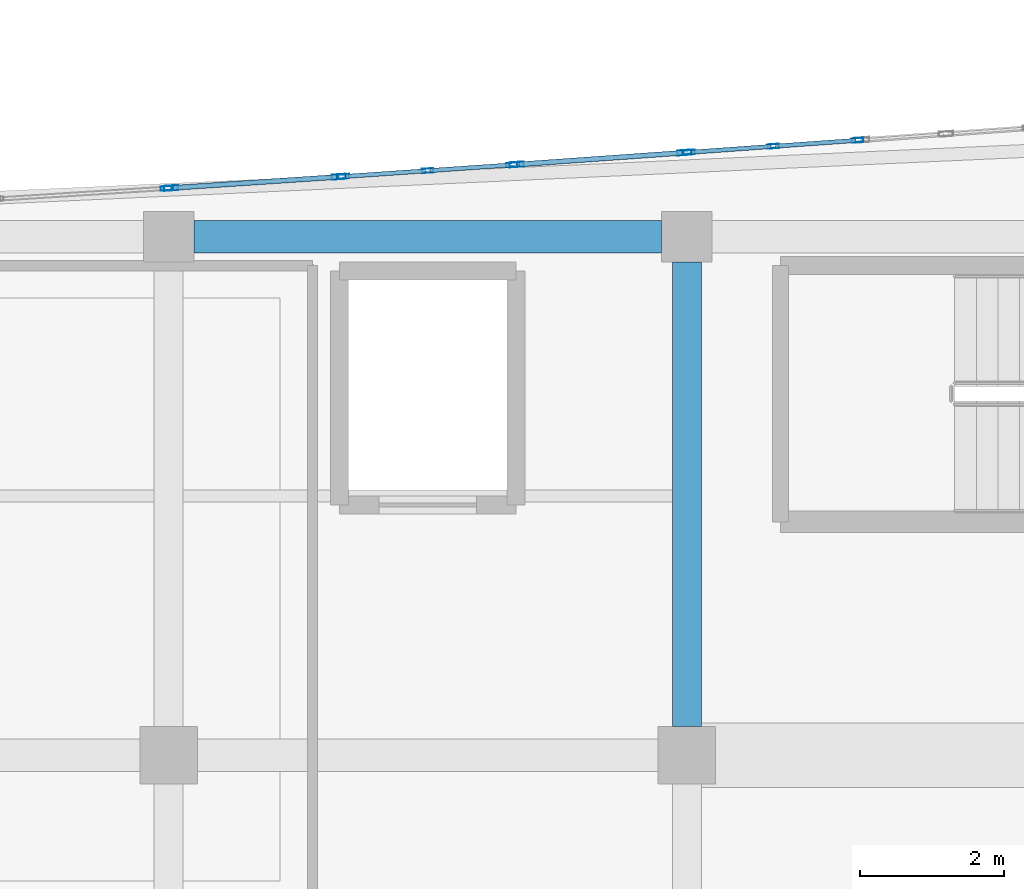
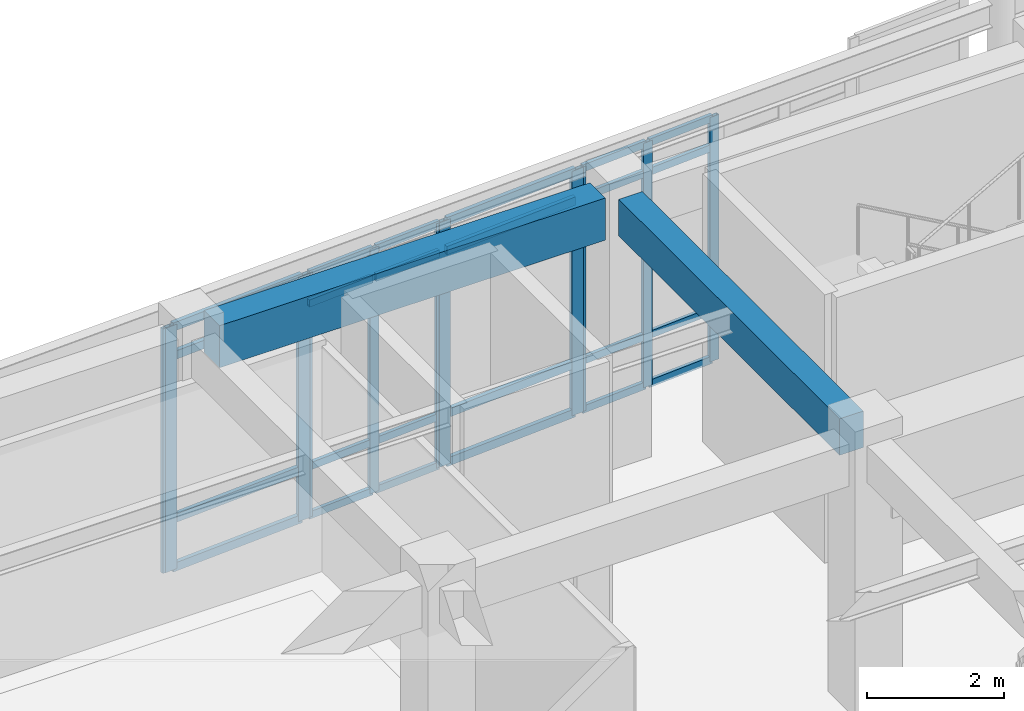
# One storey, part 30 of 117: 35 members, 2 beams, 5 elements without a shape of their own.
"""IFC4 building model written with IfcOpenShell, lengths in metres."""

import ifcopenshell
import ifcopenshell.guid

model = None  # the IFC model being written
_history = None  # IfcOwnerHistory: only IFC2X3 demands one
_inside = {}  # id of a spatial element -> (the spatial element, [elements in it])
_under = {}  # id of a project, library or spatial element -> (it, [spatial elements below it])
_declared = {}  # id of a project -> (the project, [libraries it declares])
_typed = {}  # id of a type object -> (the type object, [elements of that type])
_made_of = {}  # id of a material, layer set ... -> (it, [elements and type objects made of it])


def new_model(schema):
    """Start an empty IFC model of exactly this schema.

    Asked for "IFC4X3", IfcOpenShell would pick the latest addendum, in which some entities
    have other attributes; the version numbers below select the first issue.
    IFC2X3 requires an IfcOwnerHistory on every rooted entity: one is made here for all.
    """
    global model, _history
    if schema == "IFC4X3":
        model = ifcopenshell.file(schema_version=(4, 3, 0, 0))
    else:
        model = ifcopenshell.file(schema=schema)
    _inside.clear()
    _under.clear()
    _declared.clear()
    _typed.clear()
    _made_of.clear()
    _history = None
    if model.schema == "IFC2X3":
        org = make("IfcOrganization", Name="unknown")
        user = make(
            "IfcPersonAndOrganization",
            ThePerson=make("IfcPerson", FamilyName="unknown"),
            TheOrganization=org,
        )
        app = make(
            "IfcApplication",
            ApplicationDeveloper=org,
            Version="unknown",
            ApplicationFullName="unknown",
            ApplicationIdentifier="unknown",
        )
        _history = make(
            "IfcOwnerHistory",
            OwningUser=user,
            OwningApplication=app,
            ChangeAction="ADDED",
            CreationDate=0,
        )
    return model


def make(cls, **values):
    """One entity of the class cls with the attributes given. An attribute that is None is left unset."""
    return model.create_entity(
        cls, **{name: value for name, value in values.items() if value is not None}
    )


def rooted(cls, **values):
    """An entity with a GlobalId (a new one), such as an element, a storey or a relation."""
    return make(cls, GlobalId=ifcopenshell.guid.new(), OwnerHistory=_history, **values)


def si_unit(unit_type, name, prefix=None):
    """IfcSIUnit, for example si_unit("LENGTHUNIT", "METRE", prefix="MILLI")."""
    return make("IfcSIUnit", UnitType=unit_type, Prefix=prefix, Name=name)


def assignment(units):
    """IfcUnitAssignment: the units of a project."""
    return None if units is None else make("IfcUnitAssignment", Units=units)


def point(xyz):
    """IfcCartesianPoint."""
    return None if xyz is None else make("IfcCartesianPoint", Coordinates=xyz)


def direction(xyz):
    """IfcDirection."""
    return None if xyz is None else make("IfcDirection", DirectionRatios=xyz)


def frame(location, z_axis=None, x_axis=None):
    """IfcAxis2Placement3D, a coordinate frame: its origin and axes. An axis left out is left unset."""
    return make(
        "IfcAxis2Placement3D",
        Location=point(location),
        Axis=direction(z_axis),
        RefDirection=direction(x_axis),
    )


def frame_2d(location, x_axis=None):
    """IfcAxis2Placement2D, a coordinate frame in the plane: its origin and x axis."""
    return make(
        "IfcAxis2Placement2D", Location=point(location), RefDirection=direction(x_axis)
    )


def origin():
    """The frame at (0, 0, 0) with its axes left unset."""
    return frame((0.0, 0.0, 0.0))


def origin_2d():
    """The frame at (0, 0) in the plane with its x axis left unset."""
    return frame_2d((0.0, 0.0))


def place(relative_to, where):
    """IfcLocalPlacement: puts the frame where relative to a parent placement (None: the world)."""
    return make(
        "IfcLocalPlacement", PlacementRelTo=relative_to, RelativePlacement=where
    )


def context(
    kind, dimensions, precision=None, world=None, true_north=None, identifier=None
):
    """IfcGeometricRepresentationContext, for example the 3D "Model" context."""
    return make(
        "IfcGeometricRepresentationContext",
        ContextIdentifier=identifier,
        ContextType=kind,
        CoordinateSpaceDimension=dimensions,
        Precision=precision,
        WorldCoordinateSystem=world,
        TrueNorth=true_north,
    )


def subcontext(parent, identifier, kind, view, scale=None):
    """IfcGeometricRepresentationSubContext, for example "Body" below "Model"."""
    return make(
        "IfcGeometricRepresentationSubContext",
        ContextIdentifier=identifier,
        ContextType=kind,
        ParentContext=parent,
        TargetScale=scale,
        TargetView=view,
    )


def project(units=None, contexts=None):
    """IfcProject with its units and contexts."""
    return rooted(
        "IfcProject",
        Name="project",
        RepresentationContexts=contexts,
        UnitsInContext=assignment(units),
    )


def spatial(cls, under=None, at=None, **own):
    """A site, building, storey or space (cls), placed at a placement, below another one or the project."""
    s = rooted(cls, ObjectPlacement=at, **own)
    if under is not None:
        _under.setdefault(under.id(), (under, []))[1].append(s)
    return s


def profile(cls, at=None, kind="AREA", **sizes):
    """A parametric profile (cls). Its sizes go by their IFC names, for example OverallWidth=200.0."""
    return make(cls, ProfileType=kind, Position=at, **sizes)


def rectangle(**sizes):
    """IfcRectangleProfileDef."""
    return profile("IfcRectangleProfileDef", **sizes)


def hollow_rectangle(**sizes):
    """IfcRectangleHollowProfileDef."""
    return profile("IfcRectangleHollowProfileDef", **sizes)


def extrude(swept, where, along, depth):
    """IfcExtrudedAreaSolid: the profile swept, set in the frame where, extruded along a direction by depth."""
    return make(
        "IfcExtrudedAreaSolid",
        SweptArea=swept,
        Position=where,
        ExtrudedDirection=direction(along),
        Depth=depth,
    )


def shape(context_of_items, identifier, shape_type, items):
    """IfcShapeRepresentation: the items that make up one representation, for example the "Body"."""
    return make(
        "IfcShapeRepresentation",
        ContextOfItems=context_of_items,
        RepresentationIdentifier=identifier,
        RepresentationType=shape_type,
        Items=items,
    )


def material(Name=None, Category=None):
    """IfcMaterial."""
    return make("IfcMaterial", Name=Name, Category=Category)


def layer(
    of_material, thickness, ventilated=None, Name=None, Category=None, Priority=None
):
    """IfcMaterialLayer: one layer of a wall or slab, of a material (None: an air gap)."""
    return make(
        "IfcMaterialLayer",
        Material=of_material,
        LayerThickness=thickness,
        IsVentilated=ventilated,
        Name=Name,
        Category=Category,
        Priority=Priority,
    )


def layer_set(layers, Name=None):
    """IfcMaterialLayerSet."""
    return make("IfcMaterialLayerSet", MaterialLayers=layers, LayerSetName=Name)


def material_profile(
    of_material, cross_section, Name=None, Category=None, Priority=None
):
    """IfcMaterialProfile: a cross section and its material."""
    return make(
        "IfcMaterialProfile",
        Name=Name,
        Material=of_material,
        Profile=cross_section,
        Priority=Priority,
        Category=Category,
    )


def profile_set(profiles, Name=None, composite=None):
    """IfcMaterialProfileSet."""
    return make(
        "IfcMaterialProfileSet",
        Name=Name,
        MaterialProfiles=profiles,
        CompositeProfile=composite,
    )


def made_of(thing, what):
    """Note that an element or type object is made of a material, layer set ...; save() writes the relation."""
    if what is not None:
        _made_of.setdefault(what.id(), (what, []))[1].append(thing)
    return thing


def type_object(cls, material=None, **own):
    """A type object (cls), such as IfcWallType, which elements share."""
    return made_of(rooted(cls, **own), material)


def element(
    cls,
    number,
    at=None,
    inside=None,
    cuts=None,
    type_object=None,
    material=None,
    context=None,
    identifier="Body",
    shape_type=None,
    held_by="IfcProductDefinitionShape",
    body=None,
    shapes=None,
    **own,
):
    """One element of the class cls, such as IfcWall. Its Tag is "e" and its number.

    at: its placement. inside: the storey or other place that contains it. cuts: it is an
    opening in that element (IfcRelVoidsElement). A single representation is given by context,
    identifier, shape_type and body (its items); several are given by shapes. held_by: the class
    of the entity that holds the representations. save() writes the other relations.
    """
    e = rooted(cls, Tag="e%d" % number, ObjectPlacement=at, **own)
    if body is not None:
        shapes = [shape(context, identifier, shape_type, body)]
    if shapes is not None:
        e.Representation = make(held_by, Representations=shapes)
    if inside is not None:
        _inside.setdefault(inside.id(), (inside, []))[1].append(e)
    if cuts is not None:
        rooted(
            "IfcRelVoidsElement", RelatingBuildingElement=cuts, RelatedOpeningElement=e
        )
    if type_object is not None:
        _typed.setdefault(type_object.id(), (type_object, []))[1].append(e)
    return made_of(e, material)


def aggregate(whole, parts):
    """IfcRelAggregates: a whole, such as a stair, and the parts it consists of."""
    return rooted("IfcRelAggregates", RelatingObject=whole, RelatedObjects=parts)


def save(model, path):
    """Write the relations noted so far, then the file.

    IfcRelAggregates (storeys below a building ...), IfcRelContainedInSpatialStructure (elements
    in a storey), IfcRelDefinesByType, IfcRelAssociatesMaterial and IfcRelDeclares: one each for
    every whole, place, type object, material and project.
    """
    for whole, parts in _under.values():
        aggregate(whole, parts)
    for where, things in _inside.values():
        rooted(
            "IfcRelContainedInSpatialStructure",
            RelatedElements=things,
            RelatingStructure=where,
        )
    for kind, things in _typed.values():
        rooted("IfcRelDefinesByType", RelatedObjects=things, RelatingType=kind)
    for what, things in _made_of.values():
        rooted("IfcRelAssociatesMaterial", RelatedObjects=things, RelatingMaterial=what)
    for by, libraries in _declared.values():
        rooted("IfcRelDeclares", RelatingContext=by, RelatedDefinitions=libraries)
    model.write(path)


model = new_model("IFC4")

# Units and contexts
model_context = context("Model", 3, precision=1e-05, world=origin(), true_north=direction((0.0, 1.0)))
body_context = subcontext(model_context, "Body", "Model", "MODEL_VIEW")
ifc_project = project(units=[si_unit("LENGTHUNIT", "METRE"), si_unit("AREAUNIT", "SQUARE_METRE"), si_unit("VOLUMEUNIT", "CUBIC_METRE"), si_unit("PLANEANGLEUNIT", "RADIAN"), si_unit("MASSUNIT", "GRAM", prefix="KILO")], contexts=[model_context])

# Site, building, storey
site_placement = place(None, origin())
site = spatial("IfcSite", under=ifc_project, at=site_placement, CompositionType="ELEMENT")
building_placement = place(site_placement, origin())
building = spatial("IfcBuilding", under=site, at=building_placement, Name="Carrowvane Square Congress Hotel", CompositionType="ELEMENT")
storey_placement = place(building_placement, frame((0.0, 0.0, 5.39990234375)))
storey = spatial("IfcBuildingStorey", under=building, at=storey_placement, Name="L01", CompositionType="ELEMENT", Elevation=5.39990234375)

# Beams
ifc_material_1 = material(Name="Concrete C35/45", Category="concrete")
ifc_material_profile_1 = material_profile(ifc_material_1, rectangle(XDim=0.39990234375, YDim=0.64990234375, at=origin_2d()), Name="RC 400x650")
ifc_profile_set_1 = profile_set([ifc_material_profile_1], Name="Concrete C35/45")
beam_type_1 = type_object("IfcBeamType", Name="BM-RC-400x650", PredefinedType="BEAM", material=ifc_profile_set_1)
beam_1_placement = place(storey_placement, frame((54.800048828125, 106.60009765625, 4.455078125), z_axis=(0.0, 1.0, 0.0), x_axis=(-1.0, 0.0, 0.0)))
element("IfcBeam", 1, at=beam_1_placement, inside=storey, type_object=beam_type_1, Name="L02 girder 7/Q-R", PredefinedType="BEAM", context=body_context, shape_type="SweptSolid", body=[
    extrude(rectangle(XDim=0.39990234375, YDim=0.64990234375, at=origin_2d()), origin(), (0.0, 0.0, 1.0), 6.449951171875),
])
ifc_material_2 = material(Name="Concrete C35/45", Category="concrete")
ifc_material_profile_2 = material_profile(ifc_material_2, rectangle(XDim=0.449951171875, YDim=0.75, at=origin_2d()), Name="RC 450x750")
ifc_profile_set_2 = profile_set([ifc_material_profile_2], Name="Concrete C35/45")
beam_type_2 = type_object("IfcBeamType", Name="BM-RC-450x750", PredefinedType="USERDEFINED", material=ifc_profile_set_2)
beam_2_placement = place(storey_placement, frame((47.949951171875, 113.39990234375, 4.405029296875), z_axis=(1.0, 0.0, 0.0), x_axis=(0.0, 1.0, 0.0)))
element("IfcBeam", 2, at=beam_2_placement, inside=storey, type_object=beam_type_2, Name="L02 girder R/6-7", ObjectType="GIRDER", PredefinedType="USERDEFINED", context=body_context, shape_type="SweptSolid", body=[
    extrude(rectangle(XDim=0.449951171875, YDim=0.75, at=origin_2d()), origin(), (0.0, 0.0, 1.0), 6.5),
])

# Curtain wall, member
ifc_material_3 = material(Name="Anodised aluminium", Category="aluminium")
ifc_layer_1 = layer(ifc_material_3, 0.18603515625)
ifc_layer_set_1 = layer_set([ifc_layer_1], Name="Anodised aluminium")
curtain_wall_type_1 = type_object("IfcCurtainWallType", Name="CW-SYS-3", PredefinedType="NOTDEFINED", material=ifc_layer_set_1)
curtain_wall_1_placement = place(storey_placement, origin())
curtain_wall_1 = element("IfcCurtainWall", 3, at=curtain_wall_1_placement, inside=storey, type_object=curtain_wall_type_1, Name="L01 unitised curtain wall 66", PredefinedType="NOTDEFINED")
ifc_material_4 = material(Name="Anodised aluminium", Category="aluminium")
ifc_material_profile_3 = material_profile(ifc_material_4, hollow_rectangle(XDim=0.06005859375, YDim=0.159912109375, WallThickness=0.00390625, at=origin_2d()), Name="CW-ML 60x160x4")
ifc_profile_set_3 = profile_set([ifc_material_profile_3], Name="Anodised aluminium")
member_type_1 = type_object("IfcMemberType", Name="CW-MUL-1", PredefinedType="MULLION", material=ifc_profile_set_3)
member_1_placement = place(storey_placement, frame((47.570068359375, 114.073486328125, 0.0), z_axis=(0.0, 0.0, 1.0), x_axis=(-0.063273487972, 0.997996225303, 0.0)))
member_1 = element("IfcMember", 4, at=member_1_placement, type_object=member_type_1, Name="CW-3 mullion 2", PredefinedType="MULLION", context=body_context, shape_type="SweptSolid", body=[
    extrude(hollow_rectangle(XDim=0.06005859375, YDim=0.159912109375, WallThickness=0.00390625, at=origin_2d()), origin(), (0.0, 0.0, 1.0), 4.355712890625),
])
aggregate(curtain_wall_1, [member_1])

# Curtain wall, members
ifc_material_5 = material(Name="Anodised aluminium", Category="aluminium")
ifc_layer_2 = layer(ifc_material_5, 0.2099609375)
ifc_layer_set_2 = layer_set([ifc_layer_2], Name="Anodised aluminium")
curtain_wall_type_2 = type_object("IfcCurtainWallType", Name="CW-SYS-5", PredefinedType="NOTDEFINED", material=ifc_layer_set_2)
curtain_wall_2_placement = place(storey_placement, origin())
curtain_wall_2 = element("IfcCurtainWall", 5, at=curtain_wall_2_placement, inside=storey, type_object=curtain_wall_type_2, Name="L01 unitised curtain wall 68", PredefinedType="NOTDEFINED")
member_2_placement = place(storey_placement, frame((50.030029296875, 114.237548828125, 0.0), z_axis=(0.0, 0.0, 1.0), x_axis=(-0.068986120725, 0.997617619706, 0.0)))
member_2 = element("IfcMember", 6, at=member_2_placement, type_object=member_type_1, Name="CW-5 mullion 1", PredefinedType="MULLION", context=body_context, shape_type="SweptSolid", body=[
    extrude(hollow_rectangle(XDim=0.06005859375, YDim=0.159912109375, WallThickness=0.00390625, at=origin_2d()), origin(), (0.0, 0.0, 1.0), 4.355712890625),
])
member_3_placement = place(storey_placement, frame((51.199951171875, 114.318359375, 0.0), z_axis=(0.0, 0.0, 1.0), x_axis=(-0.068986120725, 0.997617619706, 0.0)))
member_3 = element("IfcMember", 7, at=member_3_placement, type_object=member_type_1, Name="CW-5 mullion 2", PredefinedType="MULLION", context=body_context, shape_type="SweptSolid", body=[
    extrude(hollow_rectangle(XDim=0.06005859375, YDim=0.159912109375, WallThickness=0.00390625, at=origin_2d()), origin(), (0.0, 0.0, 1.0), 4.355712890625),
])
member_4_placement = place(storey_placement, frame((52.3701171875, 114.3994140625, 0.0), z_axis=(0.0, 0.0, 1.0), x_axis=(-0.068986120725, 0.997617619706, 0.0)))
member_4 = element("IfcMember", 8, at=member_4_placement, type_object=member_type_1, Name="CW-5 mullion 3", PredefinedType="MULLION", context=body_context, shape_type="SweptSolid", body=[
    extrude(hollow_rectangle(XDim=0.06005859375, YDim=0.159912109375, WallThickness=0.00390625, at=origin_2d()), origin(), (0.0, 0.0, 1.0), 4.355712890625),
])

ifc_material_6 = material(Name="Anodised aluminium", Category="aluminium")
ifc_layer_3 = layer(ifc_material_6, 0.23388671875)
ifc_layer_set_3 = layer_set([ifc_layer_3], Name="Anodised aluminium")
curtain_wall_type_3 = type_object("IfcCurtainWallType", Name="CW-SYS-7", PredefinedType="NOTDEFINED", material=ifc_layer_set_3)
curtain_wall_3_placement = place(storey_placement, origin())
curtain_wall_3 = element("IfcCurtainWall", 9, at=curtain_wall_3_placement, inside=storey, type_object=curtain_wall_type_3, Name="L01 unitised curtain wall 70", PredefinedType="NOTDEFINED")
member_5_placement = place(storey_placement, frame((54.829833984375, 114.573486328125, 0.0), z_axis=(0.0, 0.0, 1.0), x_axis=(-0.071418356042, 0.997446448898, 0.0)))
member_5 = element("IfcMember", 10, at=member_5_placement, type_object=member_type_1, Name="CW-7 mullion 1", PredefinedType="MULLION", context=body_context, shape_type="SweptSolid", body=[
    extrude(hollow_rectangle(XDim=0.06005859375, YDim=0.159912109375, WallThickness=0.00390625, at=origin_2d()), origin(), (0.0, 0.0, 1.0), 4.355712890625),
])
member_6_placement = place(storey_placement, frame((56.0, 114.6572265625, 0.0), z_axis=(0.0, 0.0, 1.0), x_axis=(-0.071418356042, 0.997446448898, 0.0)))
member_6 = element("IfcMember", 11, at=member_6_placement, type_object=member_type_1, Name="CW-7 mullion 2", PredefinedType="MULLION", context=body_context, shape_type="SweptSolid", body=[
    extrude(hollow_rectangle(XDim=0.06005859375, YDim=0.159912109375, WallThickness=0.00390625, at=origin_2d()), origin(), (0.0, 0.0, 1.0), 4.355712890625),
])
member_7_placement = place(storey_placement, frame((57.169921875, 114.740966796875, 0.0), z_axis=(0.0, 0.0, 1.0), x_axis=(-0.071418356042, 0.997446448898, 0.0)))
member_7 = element("IfcMember", 12, at=member_7_placement, type_object=member_type_1, Name="CW-7 mullion 3", PredefinedType="MULLION", context=body_context, shape_type="SweptSolid", body=[
    extrude(hollow_rectangle(XDim=0.06005859375, YDim=0.159912109375, WallThickness=0.00390625, at=origin_2d()), origin(), (0.0, 0.0, 1.0), 4.355712890625),
])

ifc_material_7 = material(Name="Anodised aluminium", Category="aluminium")
ifc_layer_4 = layer(ifc_material_7, 0.197998046875)
ifc_layer_set_4 = layer_set([ifc_layer_4], Name="Anodised aluminium")
curtain_wall_type_4 = type_object("IfcCurtainWallType", Name="CW-SYS-4", PredefinedType="NOTDEFINED", material=ifc_layer_set_4)
curtain_wall_4_placement = place(storey_placement, origin())
curtain_wall_4 = element("IfcCurtainWall", 13, at=curtain_wall_4_placement, inside=storey, type_object=curtain_wall_type_4, Name="L01 unitised curtain wall 67", PredefinedType="NOTDEFINED")
ifc_material_8 = material(Name="Anodised aluminium", Category="aluminium")
ifc_material_profile_4 = material_profile(ifc_material_8, hollow_rectangle(XDim=0.070068359375, YDim=0.199951171875, WallThickness=0.0048828125, at=origin_2d()), Name="CW-ML 70x200x5")
ifc_profile_set_4 = profile_set([ifc_material_profile_4], Name="Anodised aluminium")
member_type_2 = type_object("IfcMemberType", Name="CW-MUL-2", PredefinedType="MULLION", material=ifc_profile_set_4)
member_8_placement = place(storey_placement, frame((47.635009765625, 114.07763671875, 0.0), z_axis=(0.0, 0.0, 1.0), x_axis=(-0.066578061501, 0.99778121937, 0.0)))
member_8 = element("IfcMember", 14, at=member_8_placement, type_object=member_type_2, Name="CW-4 mullion 1", PredefinedType="MULLION", context=body_context, shape_type="SweptSolid", body=[
    extrude(hollow_rectangle(XDim=0.070068359375, YDim=0.199951171875, WallThickness=0.0048828125, at=origin_2d()), origin(), (0.0, 0.0, 1.0), 4.355712890625),
])
member_9_placement = place(storey_placement, frame((49.965087890625, 114.233154296875, 0.0), z_axis=(0.0, 0.0, 1.0), x_axis=(-0.066578061501, 0.99778121937, 0.0)))
member_9 = element("IfcMember", 15, at=member_9_placement, type_object=member_type_2, Name="CW-4 mullion 2", PredefinedType="MULLION", context=body_context, shape_type="SweptSolid", body=[
    extrude(hollow_rectangle(XDim=0.070068359375, YDim=0.199951171875, WallThickness=0.0048828125, at=origin_2d()), origin(), (0.0, 0.0, 1.0), 4.355712890625),
])

ifc_material_9 = material(Name="Anodised aluminium", Category="aluminium")
ifc_layer_5 = layer(ifc_material_9, 0.221923828125)
ifc_layer_set_5 = layer_set([ifc_layer_5], Name="Anodised aluminium")
curtain_wall_type_5 = type_object("IfcCurtainWallType", Name="CW-SYS-6", PredefinedType="NOTDEFINED", material=ifc_layer_set_5)
curtain_wall_5_placement = place(storey_placement, origin())
curtain_wall_5 = element("IfcCurtainWall", 16, at=curtain_wall_5_placement, inside=storey, type_object=curtain_wall_type_5, Name="L01 unitised curtain wall 69", PredefinedType="NOTDEFINED")
member_10_placement = place(storey_placement, frame((52.434814453125, 114.40380859375, 0.0), z_axis=(0.0, 0.0, 1.0), x_axis=(-0.070585996942, 0.997505697746, 0.0)))
member_10 = element("IfcMember", 17, at=member_10_placement, type_object=member_type_2, Name="CW-6 mullion 1", PredefinedType="MULLION", context=body_context, shape_type="SweptSolid", body=[
    extrude(hollow_rectangle(XDim=0.070068359375, YDim=0.199951171875, WallThickness=0.0048828125, at=origin_2d()), origin(), (0.0, 0.0, 1.0), 4.355712890625),
])
member_11_placement = place(storey_placement, frame((54.76513671875, 114.56884765625, 0.0), z_axis=(0.0, 0.0, 1.0), x_axis=(-0.070585996942, 0.997505697746, 0.0)))
member_11 = element("IfcMember", 18, at=member_11_placement, type_object=member_type_2, Name="CW-6 mullion 2", PredefinedType="MULLION", context=body_context, shape_type="SweptSolid", body=[
    extrude(hollow_rectangle(XDim=0.070068359375, YDim=0.199951171875, WallThickness=0.0048828125, at=origin_2d()), origin(), (0.0, 0.0, 1.0), 4.355712890625),
])

# Member
ifc_material_10 = material(Name="Anodised aluminium", Category="aluminium")
ifc_material_profile_5 = material_profile(ifc_material_10, hollow_rectangle(XDim=0.06005859375, YDim=0.1298828125, WallThickness=0.00390625, at=origin_2d()), Name="CW-TR 60x130x4")
ifc_profile_set_5 = profile_set([ifc_material_profile_5], Name="Anodised aluminium")
member_type_3 = type_object("IfcMemberType", Name="CW-TRN-1", PredefinedType="USERDEFINED", material=ifc_profile_set_5)
member_12_placement = place(storey_placement, frame((50.059814453125, 114.239501953125, 0.030029296875), z_axis=(0.997610037403, 0.06909568201, 0.0), x_axis=(-0.06909568201, 0.997610037403, 0.0)))
member_12 = element("IfcMember", 19, at=member_12_placement, type_object=member_type_3, Name="CW-5 transom 1.1", ObjectType="TRANSOM", PredefinedType="USERDEFINED", context=body_context, shape_type="SweptSolid", body=[
    extrude(hollow_rectangle(XDim=0.06005859375, YDim=0.1298828125, WallThickness=0.00390625, at=origin_2d()), origin(), (0.0, 0.0, 1.0), 1.113037109375),
])

member_13_placement = place(storey_placement, frame((50.059814453125, 114.239501953125, 0.900146484375), z_axis=(0.997610037403, 0.06909568201, 0.0), x_axis=(-0.06909568201, 0.997610037403, 0.0)))
member_13 = element("IfcMember", 20, at=member_13_placement, type_object=member_type_3, Name="CW-5 transom 1.2", ObjectType="TRANSOM", PredefinedType="USERDEFINED", context=body_context, shape_type="SweptSolid", body=[
    extrude(hollow_rectangle(XDim=0.06005859375, YDim=0.1298828125, WallThickness=0.00390625, at=origin_2d()), origin(), (0.0, 0.0, 1.0), 1.113037109375),
])

member_14_placement = place(storey_placement, frame((50.059814453125, 114.239501953125, 3.8056640625), z_axis=(0.997610037403, 0.06909568201, 0.0), x_axis=(-0.06909568201, 0.997610037403, 0.0)))
member_14 = element("IfcMember", 21, at=member_14_placement, type_object=member_type_3, Name="CW-5 transom 1.3", ObjectType="TRANSOM", PredefinedType="USERDEFINED", context=body_context, shape_type="SweptSolid", body=[
    extrude(hollow_rectangle(XDim=0.06005859375, YDim=0.1298828125, WallThickness=0.00390625, at=origin_2d()), origin(), (0.0, 0.0, 1.0), 1.113037109375),
])

member_15_placement = place(storey_placement, frame((50.059814453125, 114.239501953125, 4.32568359375), z_axis=(0.997610037403, 0.06909568201, 0.0), x_axis=(-0.06909568201, 0.997610037403, 0.0)))
member_15 = element("IfcMember", 22, at=member_15_placement, type_object=member_type_3, Name="CW-5 transom 1.4", ObjectType="TRANSOM", PredefinedType="USERDEFINED", context=body_context, shape_type="SweptSolid", body=[
    extrude(hollow_rectangle(XDim=0.06005859375, YDim=0.1298828125, WallThickness=0.00390625, at=origin_2d()), origin(), (0.0, 0.0, 1.0), 1.113037109375),
])

member_16_placement = place(storey_placement, frame((51.22998046875, 114.320556640625, 0.030029296875), z_axis=(0.997624092775, 0.068892448896, 0.0), x_axis=(-0.068892448896, 0.997624092775, 0.0)))
member_16 = element("IfcMember", 23, at=member_16_placement, type_object=member_type_3, Name="CW-5 transom 2.1", ObjectType="TRANSOM", PredefinedType="USERDEFINED", context=body_context, shape_type="SweptSolid", body=[
    extrude(hollow_rectangle(XDim=0.06005859375, YDim=0.1298828125, WallThickness=0.00390625, at=origin_2d()), origin(), (0.0, 0.0, 1.0), 1.11279296875),
])

member_17_placement = place(storey_placement, frame((51.22998046875, 114.320556640625, 0.900146484375), z_axis=(0.997624092775, 0.068892448896, 0.0), x_axis=(-0.068892448896, 0.997624092775, 0.0)))
member_17 = element("IfcMember", 24, at=member_17_placement, type_object=member_type_3, Name="CW-5 transom 2.2", ObjectType="TRANSOM", PredefinedType="USERDEFINED", context=body_context, shape_type="SweptSolid", body=[
    extrude(hollow_rectangle(XDim=0.06005859375, YDim=0.1298828125, WallThickness=0.00390625, at=origin_2d()), origin(), (0.0, 0.0, 1.0), 1.11279296875),
])

member_18_placement = place(storey_placement, frame((51.22998046875, 114.320556640625, 3.8056640625), z_axis=(0.997624092775, 0.068892448896, 0.0), x_axis=(-0.068892448896, 0.997624092775, 0.0)))
member_18 = element("IfcMember", 25, at=member_18_placement, type_object=member_type_3, Name="CW-5 transom 2.3", ObjectType="TRANSOM", PredefinedType="USERDEFINED", context=body_context, shape_type="SweptSolid", body=[
    extrude(hollow_rectangle(XDim=0.06005859375, YDim=0.1298828125, WallThickness=0.00390625, at=origin_2d()), origin(), (0.0, 0.0, 1.0), 1.11279296875),
])

member_19_placement = place(storey_placement, frame((51.22998046875, 114.320556640625, 4.32568359375), z_axis=(0.997624092775, 0.068892448896, 0.0), x_axis=(-0.068892448896, 0.997624092775, 0.0)))
member_19 = element("IfcMember", 26, at=member_19_placement, type_object=member_type_3, Name="CW-5 transom 2.4", ObjectType="TRANSOM", PredefinedType="USERDEFINED", context=body_context, shape_type="SweptSolid", body=[
    extrude(hollow_rectangle(XDim=0.06005859375, YDim=0.1298828125, WallThickness=0.00390625, at=origin_2d()), origin(), (0.0, 0.0, 1.0), 1.11279296875),
])

aggregate(curtain_wall_2, [member_2, member_3, member_4, member_12, member_13, member_14, member_15, member_16, member_17, member_18, member_19])

member_20_placement = place(storey_placement, frame((54.85986328125, 114.575439453125, 0.030029296875), z_axis=(0.997439734895, 0.071512063685, 0.0), x_axis=(-0.071512063685, 0.997439734895, 0.0)))
member_20 = element("IfcMember", 27, at=member_20_placement, type_object=member_type_3, Name="CW-7 transom 1.1", ObjectType="TRANSOM", PredefinedType="USERDEFINED", context=body_context, shape_type="SweptSolid", body=[
    extrude(hollow_rectangle(XDim=0.06005859375, YDim=0.1298828125, WallThickness=0.00390625, at=origin_2d()), origin(), (0.0, 0.0, 1.0), 1.113037109375),
])

member_21_placement = place(storey_placement, frame((54.85986328125, 114.575439453125, 0.900146484375), z_axis=(0.997439734895, 0.071512063685, 0.0), x_axis=(-0.071512063685, 0.997439734895, 0.0)))
member_21 = element("IfcMember", 28, at=member_21_placement, type_object=member_type_3, Name="CW-7 transom 1.2", ObjectType="TRANSOM", PredefinedType="USERDEFINED", context=body_context, shape_type="SweptSolid", body=[
    extrude(hollow_rectangle(XDim=0.06005859375, YDim=0.1298828125, WallThickness=0.00390625, at=origin_2d()), origin(), (0.0, 0.0, 1.0), 1.113037109375),
])

member_22_placement = place(storey_placement, frame((54.85986328125, 114.575439453125, 3.8056640625), z_axis=(0.997439734895, 0.071512063685, 0.0), x_axis=(-0.071512063685, 0.997439734895, 0.0)))
member_22 = element("IfcMember", 29, at=member_22_placement, type_object=member_type_3, Name="CW-7 transom 1.3", ObjectType="TRANSOM", PredefinedType="USERDEFINED", context=body_context, shape_type="SweptSolid", body=[
    extrude(hollow_rectangle(XDim=0.06005859375, YDim=0.1298828125, WallThickness=0.00390625, at=origin_2d()), origin(), (0.0, 0.0, 1.0), 1.113037109375),
])

member_23_placement = place(storey_placement, frame((54.85986328125, 114.575439453125, 4.32568359375), z_axis=(0.997439734895, 0.071512063685, 0.0), x_axis=(-0.071512063685, 0.997439734895, 0.0)))
member_23 = element("IfcMember", 30, at=member_23_placement, type_object=member_type_3, Name="CW-7 transom 1.4", ObjectType="TRANSOM", PredefinedType="USERDEFINED", context=body_context, shape_type="SweptSolid", body=[
    extrude(hollow_rectangle(XDim=0.06005859375, YDim=0.1298828125, WallThickness=0.00390625, at=origin_2d()), origin(), (0.0, 0.0, 1.0), 1.113037109375),
])

member_24_placement = place(storey_placement, frame((56.02978515625, 114.659423828125, 0.030029296875), z_axis=(0.997456472769, 0.071278221999, 0.0), x_axis=(-0.071278221999, 0.997456472769, 0.0)))
member_24 = element("IfcMember", 31, at=member_24_placement, type_object=member_type_3, Name="CW-7 transom 2.1", ObjectType="TRANSOM", PredefinedType="USERDEFINED", context=body_context, shape_type="SweptSolid", body=[
    extrude(hollow_rectangle(XDim=0.06005859375, YDim=0.1298828125, WallThickness=0.00390625, at=origin_2d()), origin(), (0.0, 0.0, 1.0), 1.11328125),
])

member_25_placement = place(storey_placement, frame((56.02978515625, 114.659423828125, 0.900146484375), z_axis=(0.997456472769, 0.071278221999, 0.0), x_axis=(-0.071278221999, 0.997456472769, 0.0)))
member_25 = element("IfcMember", 32, at=member_25_placement, type_object=member_type_3, Name="CW-7 transom 2.2", ObjectType="TRANSOM", PredefinedType="USERDEFINED", context=body_context, shape_type="SweptSolid", body=[
    extrude(hollow_rectangle(XDim=0.06005859375, YDim=0.1298828125, WallThickness=0.00390625, at=origin_2d()), origin(), (0.0, 0.0, 1.0), 1.11328125),
])

member_26_placement = place(storey_placement, frame((56.02978515625, 114.659423828125, 3.8056640625), z_axis=(0.997456472769, 0.071278221999, 0.0), x_axis=(-0.071278221999, 0.997456472769, 0.0)))
member_26 = element("IfcMember", 33, at=member_26_placement, type_object=member_type_3, Name="CW-7 transom 2.3", ObjectType="TRANSOM", PredefinedType="USERDEFINED", context=body_context, shape_type="SweptSolid", body=[
    extrude(hollow_rectangle(XDim=0.06005859375, YDim=0.1298828125, WallThickness=0.00390625, at=origin_2d()), origin(), (0.0, 0.0, 1.0), 1.11328125),
])

member_27_placement = place(storey_placement, frame((56.02978515625, 114.659423828125, 4.32568359375), z_axis=(0.997456472769, 0.071278221999, 0.0), x_axis=(-0.071278221999, 0.997456472769, 0.0)))
member_27 = element("IfcMember", 34, at=member_27_placement, type_object=member_type_3, Name="CW-7 transom 2.4", ObjectType="TRANSOM", PredefinedType="USERDEFINED", context=body_context, shape_type="SweptSolid", body=[
    extrude(hollow_rectangle(XDim=0.06005859375, YDim=0.1298828125, WallThickness=0.00390625, at=origin_2d()), origin(), (0.0, 0.0, 1.0), 1.11328125),
])

aggregate(curtain_wall_3, [member_5, member_6, member_7, member_20, member_21, member_22, member_23, member_24, member_25, member_26, member_27])

ifc_material_11 = material(Name="Anodised aluminium", Category="aluminium")
ifc_material_profile_6 = material_profile(ifc_material_11, hollow_rectangle(XDim=0.070068359375, YDim=0.14990234375, WallThickness=0.0048828125, at=origin_2d()), Name="CW-TR 70x150x5")
ifc_profile_set_6 = profile_set([ifc_material_profile_6], Name="Anodised aluminium")
member_type_4 = type_object("IfcMemberType", Name="CW-TRN-2", PredefinedType="USERDEFINED", material=ifc_profile_set_6)
member_28_placement = place(storey_placement, frame((47.669921875, 114.080078125, 0.03515625), z_axis=(0.997786588276, 0.066497550763, 0.0), x_axis=(-0.066497550763, 0.997786588276, 0.0)))
member_28 = element("IfcMember", 35, at=member_28_placement, type_object=member_type_4, Name="CW-4 transom 1.1", ObjectType="TRANSOM", PredefinedType="USERDEFINED", context=body_context, shape_type="SweptSolid", body=[
    extrude(hollow_rectangle(XDim=0.070068359375, YDim=0.14990234375, WallThickness=0.0048828125, at=origin_2d()), origin(), (0.0, 0.0, 1.0), 2.265380859375),
])

member_29_placement = place(storey_placement, frame((47.669921875, 114.080078125, 0.900146484375), z_axis=(0.997786588276, 0.066497550763, 0.0), x_axis=(-0.066497550763, 0.997786588276, 0.0)))
member_29 = element("IfcMember", 36, at=member_29_placement, type_object=member_type_4, Name="CW-4 transom 1.2", ObjectType="TRANSOM", PredefinedType="USERDEFINED", context=body_context, shape_type="SweptSolid", body=[
    extrude(hollow_rectangle(XDim=0.070068359375, YDim=0.14990234375, WallThickness=0.0048828125, at=origin_2d()), origin(), (0.0, 0.0, 1.0), 2.265380859375),
])

member_30_placement = place(storey_placement, frame((47.669921875, 114.080078125, 3.8056640625), z_axis=(0.997786588276, 0.066497550763, 0.0), x_axis=(-0.066497550763, 0.997786588276, 0.0)))
member_30 = element("IfcMember", 37, at=member_30_placement, type_object=member_type_4, Name="CW-4 transom 1.3", ObjectType="TRANSOM", PredefinedType="USERDEFINED", context=body_context, shape_type="SweptSolid", body=[
    extrude(hollow_rectangle(XDim=0.070068359375, YDim=0.14990234375, WallThickness=0.0048828125, at=origin_2d()), origin(), (0.0, 0.0, 1.0), 2.265380859375),
])

member_31_placement = place(storey_placement, frame((47.669921875, 114.080078125, 4.32080078125), z_axis=(0.997786588276, 0.066497550763, 0.0), x_axis=(-0.066497550763, 0.997786588276, 0.0)))
member_31 = element("IfcMember", 38, at=member_31_placement, type_object=member_type_4, Name="CW-4 transom 1.4", ObjectType="TRANSOM", PredefinedType="USERDEFINED", context=body_context, shape_type="SweptSolid", body=[
    extrude(hollow_rectangle(XDim=0.070068359375, YDim=0.14990234375, WallThickness=0.0048828125, at=origin_2d()), origin(), (0.0, 0.0, 1.0), 2.265380859375),
])

aggregate(curtain_wall_4, [member_8, member_9, member_28, member_29, member_30, member_31])

member_32_placement = place(storey_placement, frame((52.4697265625, 114.406494140625, 0.03515625), z_axis=(0.997507138694, 0.070565630829, 0.0), x_axis=(-0.070565630829, 0.997507138694, 0.0)))
member_32 = element("IfcMember", 39, at=member_32_placement, type_object=member_type_4, Name="CW-6 transom 1.1", ObjectType="TRANSOM", PredefinedType="USERDEFINED", context=body_context, shape_type="SweptSolid", body=[
    extrude(hollow_rectangle(XDim=0.070068359375, YDim=0.14990234375, WallThickness=0.0048828125, at=origin_2d()), origin(), (0.0, 0.0, 1.0), 2.26611328125),
])

member_33_placement = place(storey_placement, frame((52.4697265625, 114.406494140625, 0.900146484375), z_axis=(0.997507138694, 0.070565630829, 0.0), x_axis=(-0.070565630829, 0.997507138694, 0.0)))
member_33 = element("IfcMember", 40, at=member_33_placement, type_object=member_type_4, Name="CW-6 transom 1.2", ObjectType="TRANSOM", PredefinedType="USERDEFINED", context=body_context, shape_type="SweptSolid", body=[
    extrude(hollow_rectangle(XDim=0.070068359375, YDim=0.14990234375, WallThickness=0.0048828125, at=origin_2d()), origin(), (0.0, 0.0, 1.0), 2.26611328125),
])

member_34_placement = place(storey_placement, frame((52.4697265625, 114.406494140625, 3.8056640625), z_axis=(0.997507138694, 0.070565630829, 0.0), x_axis=(-0.070565630829, 0.997507138694, 0.0)))
member_34 = element("IfcMember", 41, at=member_34_placement, type_object=member_type_4, Name="CW-6 transom 1.3", ObjectType="TRANSOM", PredefinedType="USERDEFINED", context=body_context, shape_type="SweptSolid", body=[
    extrude(hollow_rectangle(XDim=0.070068359375, YDim=0.14990234375, WallThickness=0.0048828125, at=origin_2d()), origin(), (0.0, 0.0, 1.0), 2.26611328125),
])

member_35_placement = place(storey_placement, frame((52.4697265625, 114.406494140625, 4.32080078125), z_axis=(0.997507138694, 0.070565630829, 0.0), x_axis=(-0.070565630829, 0.997507138694, 0.0)))
member_35 = element("IfcMember", 42, at=member_35_placement, type_object=member_type_4, Name="CW-6 transom 1.4", ObjectType="TRANSOM", PredefinedType="USERDEFINED", context=body_context, shape_type="SweptSolid", body=[
    extrude(hollow_rectangle(XDim=0.070068359375, YDim=0.14990234375, WallThickness=0.0048828125, at=origin_2d()), origin(), (0.0, 0.0, 1.0), 2.26611328125),
])

aggregate(curtain_wall_5, [member_10, member_11, member_32, member_33, member_34, member_35])

save(model, "model.ifc")
